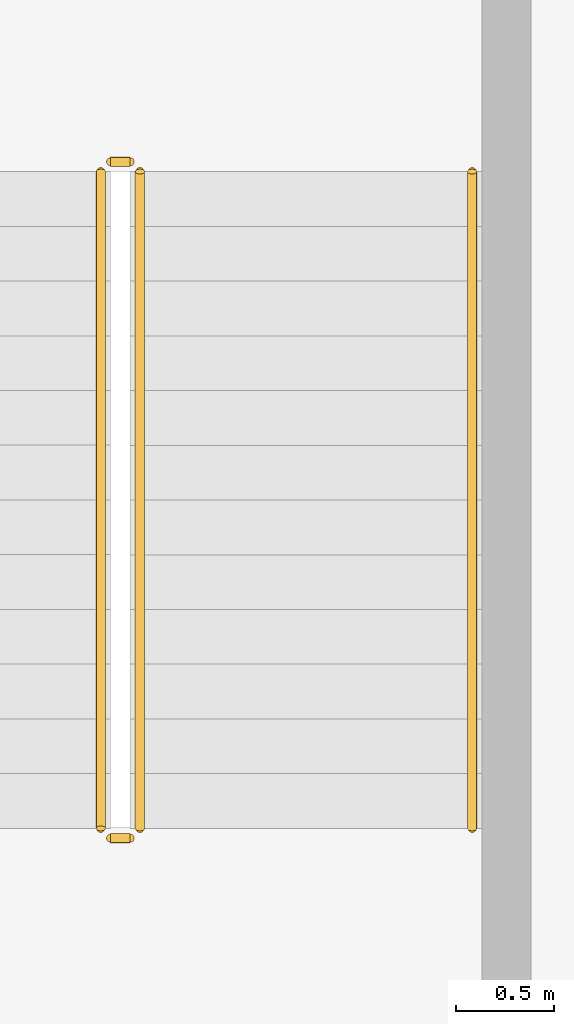
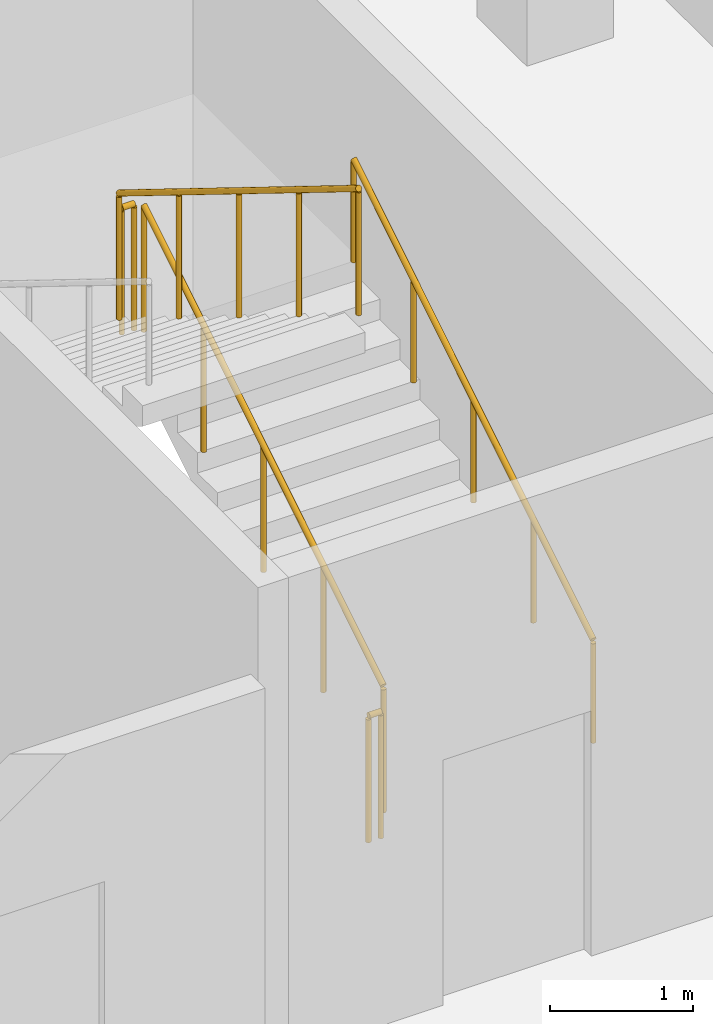
# One storey, part 36 of 36: 5 railings.
"""IFC4 building model written with IfcOpenShell, lengths in metres."""

from ifc_helpers import new_model, si_unit, direction, frame, origin, origin_2d, place, context, subcontext, project, spatial, circle, extrude, material, type_object, element, save


model = new_model("IFC4")

# Units and contexts
model_context = context("Model", 3, precision=1e-05, world=origin(), true_north=direction((0.0, 1.0)))
body_context = subcontext(model_context, "Body", "Model", "MODEL_VIEW")
ifc_project = project(units=[si_unit("LENGTHUNIT", "METRE"), si_unit("AREAUNIT", "SQUARE_METRE"), si_unit("VOLUMEUNIT", "CUBIC_METRE"), si_unit("PLANEANGLEUNIT", "RADIAN"), si_unit("MASSUNIT", "GRAM", prefix="KILO")], contexts=[model_context])

# Site, building, storey
site_placement = place(None, origin())
site = spatial("IfcSite", under=ifc_project, at=site_placement, CompositionType="ELEMENT")
building_placement = place(site_placement, origin())
building = spatial("IfcBuilding", under=site, at=building_placement, Name="Kilnfold Tower and Market Hall", CompositionType="ELEMENT")
storey_placement = place(building_placement, frame((0.0, 0.0, 18.0)))
storey = spatial("IfcBuildingStorey", under=building, at=storey_placement, Name="L03", CompositionType="ELEMENT", Elevation=18.0)

# Railings
ifc_material_1 = material(Name="Steel S355", Category="steel")
railing_type_1 = type_object("IfcRailingType", Name="HALL STAIR GUARD 1100", PredefinedType="GUARDRAIL", material=ifc_material_1)
railing_1_placement = place(storey_placement, frame((48.75, 46.699951171875, 0.173095703125)))
element("IfcRailing", 1, at=railing_1_placement, inside=storey, type_object=railing_type_1, Name="L03 MS6 stair guard 1", PredefinedType="GUARDRAIL", context=body_context, shape_type="SweptSolid", body=[
    extrude(circle(Radius=0.02392578125, at=origin_2d()), frame((0.0, 0.0, 1.076171875), z_axis=(0.0, 0.850623216509, 0.525775754039), x_axis=(-1.0, 0.0, 0.0)), (0.0, 0.0, 1.0), 3.9501953125),
    extrude(circle(Radius=0.02099609375, at=origin_2d()), origin(), (0.0, 0.0, 1.0), 1.052001953125),
    extrude(circle(Radius=0.02099609375, at=origin_2d()), frame((0.0, 0.840087890625, 0.519287109375)), (0.0, 0.0, 1.0), 1.052001953125),
    extrude(circle(Radius=0.02099609375, at=origin_2d()), frame((0.0, 1.68017578125, 1.03857421875)), (0.0, 0.0, 1.0), 1.052001953125),
    extrude(circle(Radius=0.02099609375, at=origin_2d()), frame((0.0, 2.52001953125, 1.5576171875)), (0.0, 0.0, 1.0), 1.052001953125),
    extrude(circle(Radius=0.02099609375, at=origin_2d()), frame((0.0, 3.360107421875, 2.076904296875)), (0.0, 0.0, 1.0), 1.052001953125),
])
railing_2_placement = place(storey_placement, frame((48.699951171875, 50.110107421875, 2.25)))
element("IfcRailing", 2, at=railing_2_placement, inside=storey, type_object=railing_type_1, Name="L03 MS6 stair guard 2", PredefinedType="GUARDRAIL", context=body_context, shape_type="SweptSolid", body=[
    extrude(circle(Radius=0.02392578125, at=origin_2d()), frame((0.0, 0.0, 1.076171875), z_axis=(-1.0, 0.0, 0.0), x_axis=(0.0, -1.0, 0.0)), (0.0, 0.0, 1.0), 0.099853515625),
    extrude(circle(Radius=0.02099609375, at=origin_2d()), origin(), (0.0, 0.0, 1.0), 1.052001953125),
    extrude(circle(Radius=0.02099609375, at=origin_2d()), frame((-0.099853515625, 0.0, 0.0)), (0.0, 0.0, 1.0), 1.052001953125),
])
railing_3_placement = place(storey_placement, frame((48.550048828125, 50.06005859375, 2.423095703125)))
element("IfcRailing", 3, at=railing_3_placement, inside=storey, type_object=railing_type_1, Name="L03 MS6 stair guard 3", PredefinedType="GUARDRAIL", context=body_context, shape_type="SweptSolid", body=[
    extrude(circle(Radius=0.02392578125, at=origin_2d()), frame((0.0, 0.0, 1.076171875), z_axis=(0.0, -0.850623216509, 0.525775754039), x_axis=(1.0, 0.0, 0.0)), (0.0, 0.0, 1.0), 3.9501953125),
    extrude(circle(Radius=0.02099609375, at=origin_2d()), origin(), (0.0, 0.0, 1.0), 1.052001953125),
    extrude(circle(Radius=0.02099609375, at=origin_2d()), frame((0.0, -0.840087890625, 0.519287109375)), (0.0, 0.0, 1.0), 1.052001953125),
    extrude(circle(Radius=0.02099609375, at=origin_2d()), frame((0.0, -1.68017578125, 1.03857421875)), (0.0, 0.0, 1.0), 1.052001953125),
    extrude(circle(Radius=0.02099609375, at=origin_2d()), frame((0.0, -2.52001953125, 1.5576171875)), (0.0, 0.0, 1.0), 1.052001953125),
    extrude(circle(Radius=0.02099609375, at=origin_2d()), frame((0.0, -3.360107421875, 2.076904296875)), (0.0, 0.0, 1.0), 1.052001953125),
])
railing_4_placement = place(storey_placement, frame((48.699951171875, 46.64990234375, 0.0)))
element("IfcRailing", 4, at=railing_4_placement, inside=storey, type_object=railing_type_1, Name="L03 MS6 stair guard 4", PredefinedType="GUARDRAIL", context=body_context, shape_type="SweptSolid", body=[
    extrude(circle(Radius=0.02392578125, at=origin_2d()), frame((0.0, 0.0, 1.076171875), z_axis=(-1.0, 0.0, 0.0), x_axis=(0.0, -1.0, 0.0)), (0.0, 0.0, 1.0), 0.099853515625),
    extrude(circle(Radius=0.02099609375, at=origin_2d()), origin(), (0.0, 0.0, 1.0), 1.052001953125),
    extrude(circle(Radius=0.02099609375, at=origin_2d()), frame((-0.099853515625, 0.0, 0.0)), (0.0, 0.0, 1.0), 1.052001953125),
])
ifc_material_2 = material(Name="Steel S355", Category="steel")
railing_type_2 = type_object("IfcRailingType", Name="HALL STAIR HANDRAIL", PredefinedType="HANDRAIL", material=ifc_material_2)
railing_5_placement = place(storey_placement, frame((50.449951171875, 46.699951171875, 0.173095703125)))
element("IfcRailing", 5, at=railing_5_placement, inside=storey, type_object=railing_type_2, Name="L03 MS6 stair handrail 1", PredefinedType="HANDRAIL", context=body_context, shape_type="SweptSolid", body=[
    extrude(circle(Radius=0.02392578125, at=origin_2d()), frame((0.0, 0.0, 0.8759765625), z_axis=(0.0, 0.850623216509, 0.525775754039), x_axis=(-1.0, 0.0, 0.0)), (0.0, 0.0, 1.0), 3.9501953125),
    extrude(circle(Radius=0.02099609375, at=origin_2d()), origin(), (0.0, 0.0, 1.0), 0.851806640625),
    extrude(circle(Radius=0.02099609375, at=origin_2d()), frame((0.0, 0.840087890625, 0.519287109375)), (0.0, 0.0, 1.0), 0.851806640625),
    extrude(circle(Radius=0.02099609375, at=origin_2d()), frame((0.0, 1.68017578125, 1.03857421875)), (0.0, 0.0, 1.0), 0.851806640625),
    extrude(circle(Radius=0.02099609375, at=origin_2d()), frame((0.0, 2.52001953125, 1.5576171875)), (0.0, 0.0, 1.0), 0.851806640625),
    extrude(circle(Radius=0.02099609375, at=origin_2d()), frame((0.0, 3.360107421875, 2.076904296875)), (0.0, 0.0, 1.0), 0.851806640625),
])

save(model, "model.ifc")
